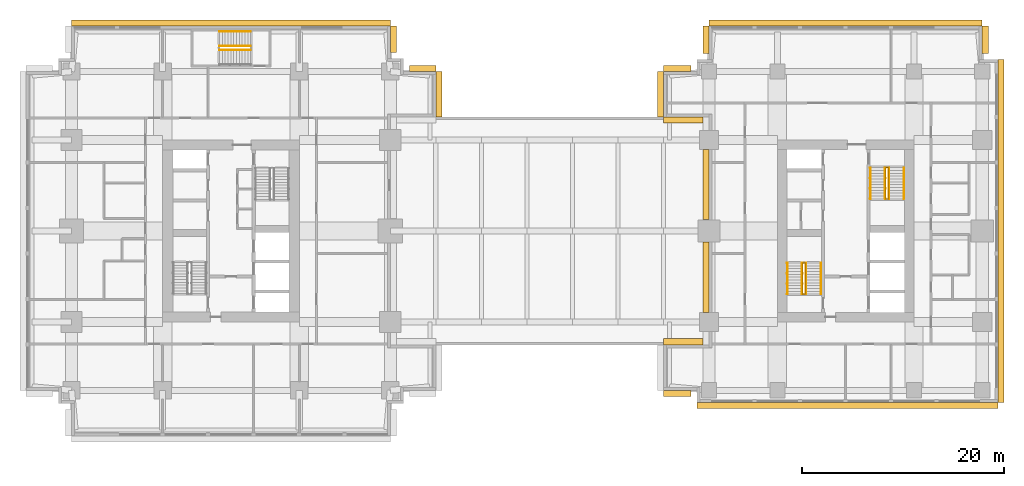
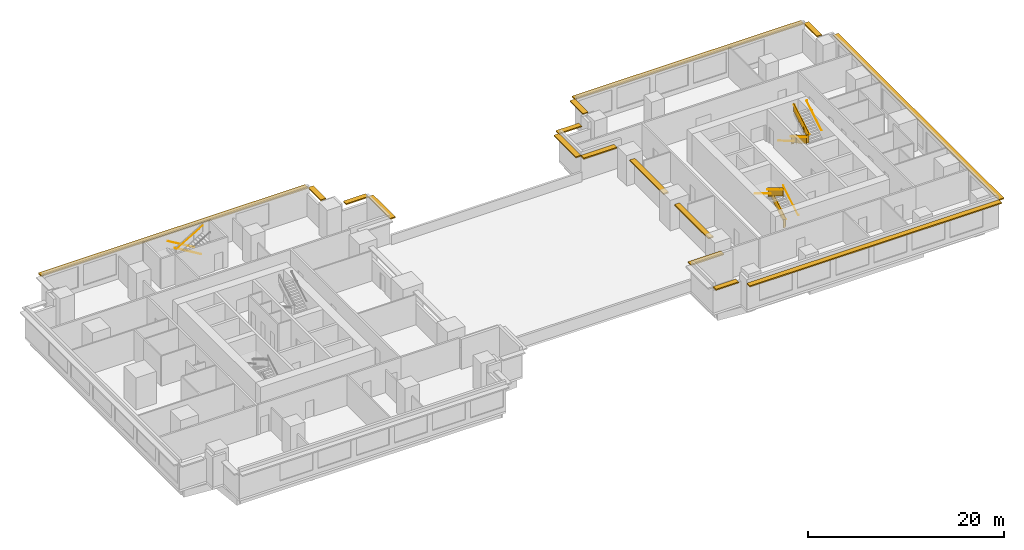
# One storey, part 10 of 10: 16 shading devices, 13 railings.
"""IFC4 building model written with IfcOpenShell, lengths in metres."""

from ifc_helpers import new_model, si_unit, direction, frame, origin, origin_2d, place, context, subcontext, project, spatial, polyline, rectangle, circle, outline, extrude, material, layer, layer_set, type_object, element, save


model = new_model("IFC4")

# Units and contexts
model_context = context("Model", 3, precision=1e-05, world=origin(), true_north=direction((0.0, 1.0)))
body_context = subcontext(model_context, "Body", "Model", "MODEL_VIEW")
ifc_project = project(units=[si_unit("LENGTHUNIT", "METRE"), si_unit("AREAUNIT", "SQUARE_METRE"), si_unit("VOLUMEUNIT", "CUBIC_METRE"), si_unit("PLANEANGLEUNIT", "RADIAN"), si_unit("MASSUNIT", "GRAM", prefix="KILO")], contexts=[model_context])

# Site, building, storey
site_placement = place(None, origin())
site = spatial("IfcSite", under=ifc_project, at=site_placement, CompositionType="ELEMENT")
building_placement = place(site_placement, origin())
building = spatial("IfcBuilding", under=site, at=building_placement, Name="Namib Vertical Campus", CompositionType="ELEMENT")
storey_placement = place(building_placement, frame((0.0, 0.0, 137.0)))
storey = spatial("IfcBuildingStorey", under=building, at=storey_placement, Name="L32", CompositionType="ELEMENT", Elevation=137.0)

# Railings
ifc_material_1 = material(Name="Steel handrail", Category="steel")
railing_type_1 = type_object("IfcRailingType", Name="Handrail 900", PredefinedType="HANDRAIL", material=ifc_material_1)
railing_1_placement = place(storey_placement, frame((78.550048828125, 14.0, 0.166748046875)))
element("IfcRailing", 1, at=railing_1_placement, inside=storey, type_object=railing_type_1, Name="Handrail HR1 B-S1 L32 1", PredefinedType="HANDRAIL", context=body_context, shape_type="SweptSolid", body=[
    extrude(circle(Radius=0.02392578125, at=origin_2d()), frame((0.0, 0.0, 0.8759765625), z_axis=(0.0, 0.859308565015, 0.511457515432), x_axis=(-1.0, 0.0, 0.0)), (0.0, 0.0, 1.0), 3.58447265625),
    extrude(circle(Radius=0.008056640625, at=origin_2d()), frame((0.0, 0.0, 0.8759765625), z_axis=(1.0, 0.0, 0.0), x_axis=(0.0, 0.0, 1.0)), (0.0, 0.0, 1.0), 0.050048828125),
    extrude(circle(Radius=0.008056640625, at=origin_2d()), frame((0.0, 1.026611328125, 1.48681640625), z_axis=(1.0, 0.0, 0.0), x_axis=(0.0, 0.0, 1.0)), (0.0, 0.0, 1.0), 0.050048828125),
    extrude(circle(Radius=0.008056640625, at=origin_2d()), frame((0.0, 2.053466796875, 2.09814453125), z_axis=(1.0, 0.0, 0.0), x_axis=(0.0, 0.0, 1.0)), (0.0, 0.0, 1.0), 0.050048828125),
    extrude(circle(Radius=0.008056640625, at=origin_2d()), frame((0.0, 3.080078125, 2.708984375), z_axis=(1.0, 0.0, 0.0), x_axis=(0.0, 0.0, 1.0)), (0.0, 0.0, 1.0), 0.050048828125),
])
railing_2_placement = place(storey_placement, frame((75.25, 17.080078125, 2.166748046875)))
element("IfcRailing", 2, at=railing_2_placement, inside=storey, type_object=railing_type_1, Name="Handrail HR1 B-S1 L32 2", PredefinedType="HANDRAIL", context=body_context, shape_type="SweptSolid", body=[
    extrude(circle(Radius=0.02392578125, at=origin_2d()), frame((0.0, 0.0, 0.8759765625), z_axis=(0.0, -0.859308565015, 0.511457515432), x_axis=(1.0, 0.0, 0.0)), (0.0, 0.0, 1.0), 3.58447265625),
    extrude(circle(Radius=0.008056640625, at=origin_2d()), frame((0.0, 0.0, 0.8759765625), z_axis=(-1.0, 0.0, 0.0), x_axis=(0.0, 0.0, 1.0)), (0.0, 0.0, 1.0), 0.050048828125),
    extrude(circle(Radius=0.008056640625, at=origin_2d()), frame((0.0, -1.026611328125, 1.48681640625), z_axis=(-1.0, 0.0, 0.0), x_axis=(0.0, 0.0, 1.0)), (0.0, 0.0, 1.0), 0.050048828125),
    extrude(circle(Radius=0.008056640625, at=origin_2d()), frame((0.0, -2.053466796875, 2.09814453125), z_axis=(-1.0, 0.0, 0.0), x_axis=(0.0, 0.0, 1.0)), (0.0, 0.0, 1.0), 0.050048828125),
    extrude(circle(Radius=0.008056640625, at=origin_2d()), frame((0.0, -3.080078125, 2.708984375), z_axis=(-1.0, 0.0, 0.0), x_axis=(0.0, 0.0, 1.0)), (0.0, 0.0, 1.0), 0.050048828125),
])
railing_3_placement = place(storey_placement, frame((77.10009765625, 14.0, 0.166748046875)))
element("IfcRailing", 3, at=railing_3_placement, inside=storey, type_object=railing_type_1, Name="Handrail HR1 B-S1 L32 1 at the well", PredefinedType="HANDRAIL", context=body_context, shape_type="SweptSolid", body=[
    extrude(circle(Radius=0.02392578125, at=origin_2d()), frame((0.0, 0.0, 0.8759765625), z_axis=(0.0, 0.859308565015, 0.511457515432), x_axis=(-1.0, 0.0, 0.0)), (0.0, 0.0, 1.0), 3.58447265625),
    extrude(circle(Radius=0.008056640625, at=origin_2d()), frame((0.0, 0.0, 0.8759765625), z_axis=(-1.0, 0.0, 0.0), x_axis=(0.0, 0.0, 1.0)), (0.0, 0.0, 1.0), 0.0400390625),
    extrude(circle(Radius=0.008056640625, at=origin_2d()), frame((0.0, 1.026611328125, 1.48681640625), z_axis=(-1.0, 0.0, 0.0), x_axis=(0.0, 0.0, 1.0)), (0.0, 0.0, 1.0), 0.0400390625),
    extrude(circle(Radius=0.008056640625, at=origin_2d()), frame((0.0, 2.053466796875, 2.09814453125), z_axis=(-1.0, 0.0, 0.0), x_axis=(0.0, 0.0, 1.0)), (0.0, 0.0, 1.0), 0.0400390625),
    extrude(circle(Radius=0.008056640625, at=origin_2d()), frame((0.0, 3.080078125, 2.708984375), z_axis=(-1.0, 0.0, 0.0), x_axis=(0.0, 0.0, 1.0)), (0.0, 0.0, 1.0), 0.0400390625),
])
railing_4_placement = place(storey_placement, frame((76.699951171875, 17.080078125, 2.166748046875)))
element("IfcRailing", 4, at=railing_4_placement, inside=storey, type_object=railing_type_1, Name="Handrail HR1 B-S1 L32 2 at the well", PredefinedType="HANDRAIL", context=body_context, shape_type="SweptSolid", body=[
    extrude(circle(Radius=0.02392578125, at=origin_2d()), frame((0.0, 0.0, 0.8759765625), z_axis=(0.0, -0.859308565015, 0.511457515432), x_axis=(1.0, 0.0, 0.0)), (0.0, 0.0, 1.0), 3.58447265625),
    extrude(circle(Radius=0.008056640625, at=origin_2d()), frame((0.0, 0.0, 0.8759765625), z_axis=(1.0, 0.0, 0.0), x_axis=(0.0, 0.0, 1.0)), (0.0, 0.0, 1.0), 0.0400390625),
    extrude(circle(Radius=0.008056640625, at=origin_2d()), frame((0.0, -1.026611328125, 1.48681640625), z_axis=(1.0, 0.0, 0.0), x_axis=(0.0, 0.0, 1.0)), (0.0, 0.0, 1.0), 0.0400390625),
    extrude(circle(Radius=0.008056640625, at=origin_2d()), frame((0.0, -2.053466796875, 2.09814453125), z_axis=(1.0, 0.0, 0.0), x_axis=(0.0, 0.0, 1.0)), (0.0, 0.0, 1.0), 0.0400390625),
    extrude(circle(Radius=0.008056640625, at=origin_2d()), frame((0.0, -3.080078125, 2.708984375), z_axis=(1.0, 0.0, 0.0), x_axis=(0.0, 0.0, 1.0)), (0.0, 0.0, 1.0), 0.0400390625),
])
railing_5_placement = place(storey_placement, frame((83.449951171875, 26.5, 0.166748046875)))
element("IfcRailing", 5, at=railing_5_placement, inside=storey, type_object=railing_type_1, Name="Handrail HR1 B-S2 L32 1", PredefinedType="HANDRAIL", context=body_context, shape_type="SweptSolid", body=[
    extrude(circle(Radius=0.02392578125, at=origin_2d()), frame((0.0, 0.0, 0.8759765625), z_axis=(0.0, -0.859308565015, 0.511457515432), x_axis=(1.0, 0.0, 0.0)), (0.0, 0.0, 1.0), 3.58447265625),
    extrude(circle(Radius=0.008056640625, at=origin_2d()), frame((0.0, 0.0, 0.8759765625), z_axis=(-1.0, 0.0, 0.0), x_axis=(0.0, 0.0, 1.0)), (0.0, 0.0, 1.0), 0.050048828125),
    extrude(circle(Radius=0.008056640625, at=origin_2d()), frame((0.0, -1.026611328125, 1.48681640625), z_axis=(-1.0, 0.0, 0.0), x_axis=(0.0, 0.0, 1.0)), (0.0, 0.0, 1.0), 0.050048828125),
    extrude(circle(Radius=0.008056640625, at=origin_2d()), frame((0.0, -2.053466796875, 2.09814453125), z_axis=(-1.0, 0.0, 0.0), x_axis=(0.0, 0.0, 1.0)), (0.0, 0.0, 1.0), 0.050048828125),
    extrude(circle(Radius=0.008056640625, at=origin_2d()), frame((0.0, -3.080078125, 2.708984375), z_axis=(-1.0, 0.0, 0.0), x_axis=(0.0, 0.0, 1.0)), (0.0, 0.0, 1.0), 0.050048828125),
])
railing_6_placement = place(storey_placement, frame((86.75, 23.419921875, 2.166748046875)))
element("IfcRailing", 6, at=railing_6_placement, inside=storey, type_object=railing_type_1, Name="Handrail HR1 B-S2 L32 2", PredefinedType="HANDRAIL", context=body_context, shape_type="SweptSolid", body=[
    extrude(circle(Radius=0.02392578125, at=origin_2d()), frame((0.0, 0.0, 0.8759765625), z_axis=(0.0, 0.859308565015, 0.511457515432), x_axis=(-1.0, 0.0, 0.0)), (0.0, 0.0, 1.0), 3.58447265625),
    extrude(circle(Radius=0.008056640625, at=origin_2d()), frame((0.0, 0.0, 0.8759765625), z_axis=(1.0, 0.0, 0.0), x_axis=(0.0, 0.0, 1.0)), (0.0, 0.0, 1.0), 0.050048828125),
    extrude(circle(Radius=0.008056640625, at=origin_2d()), frame((0.0, 1.026611328125, 1.48681640625), z_axis=(1.0, 0.0, 0.0), x_axis=(0.0, 0.0, 1.0)), (0.0, 0.0, 1.0), 0.050048828125),
    extrude(circle(Radius=0.008056640625, at=origin_2d()), frame((0.0, 2.053466796875, 2.09814453125), z_axis=(1.0, 0.0, 0.0), x_axis=(0.0, 0.0, 1.0)), (0.0, 0.0, 1.0), 0.050048828125),
    extrude(circle(Radius=0.008056640625, at=origin_2d()), frame((0.0, 3.080078125, 2.708984375), z_axis=(1.0, 0.0, 0.0), x_axis=(0.0, 0.0, 1.0)), (0.0, 0.0, 1.0), 0.050048828125),
])
railing_7_placement = place(storey_placement, frame((84.89990234375, 26.5, 0.166748046875)))
element("IfcRailing", 7, at=railing_7_placement, inside=storey, type_object=railing_type_1, Name="Handrail HR1 B-S2 L32 1 at the well", PredefinedType="HANDRAIL", context=body_context, shape_type="SweptSolid", body=[
    extrude(circle(Radius=0.02392578125, at=origin_2d()), frame((0.0, 0.0, 0.8759765625), z_axis=(0.0, -0.859308565015, 0.511457515432), x_axis=(1.0, 0.0, 0.0)), (0.0, 0.0, 1.0), 3.58447265625),
    extrude(circle(Radius=0.008056640625, at=origin_2d()), frame((0.0, 0.0, 0.8759765625), z_axis=(1.0, 0.0, 0.0), x_axis=(0.0, 0.0, 1.0)), (0.0, 0.0, 1.0), 0.0400390625),
    extrude(circle(Radius=0.008056640625, at=origin_2d()), frame((0.0, -1.026611328125, 1.48681640625), z_axis=(1.0, 0.0, 0.0), x_axis=(0.0, 0.0, 1.0)), (0.0, 0.0, 1.0), 0.0400390625),
    extrude(circle(Radius=0.008056640625, at=origin_2d()), frame((0.0, -2.053466796875, 2.09814453125), z_axis=(1.0, 0.0, 0.0), x_axis=(0.0, 0.0, 1.0)), (0.0, 0.0, 1.0), 0.0400390625),
    extrude(circle(Radius=0.008056640625, at=origin_2d()), frame((0.0, -3.080078125, 2.708984375), z_axis=(1.0, 0.0, 0.0), x_axis=(0.0, 0.0, 1.0)), (0.0, 0.0, 1.0), 0.0400390625),
])
railing_8_placement = place(storey_placement, frame((85.300048828125, 23.419921875, 2.166748046875)))
element("IfcRailing", 8, at=railing_8_placement, inside=storey, type_object=railing_type_1, Name="Handrail HR1 B-S2 L32 2 at the well", PredefinedType="HANDRAIL", context=body_context, shape_type="SweptSolid", body=[
    extrude(circle(Radius=0.02392578125, at=origin_2d()), frame((0.0, 0.0, 0.8759765625), z_axis=(0.0, 0.859308565015, 0.511457515432), x_axis=(-1.0, 0.0, 0.0)), (0.0, 0.0, 1.0), 3.58447265625),
    extrude(circle(Radius=0.008056640625, at=origin_2d()), frame((0.0, 0.0, 0.8759765625), z_axis=(-1.0, 0.0, 0.0), x_axis=(0.0, 0.0, 1.0)), (0.0, 0.0, 1.0), 0.0400390625),
    extrude(circle(Radius=0.008056640625, at=origin_2d()), frame((0.0, 1.026611328125, 1.48681640625), z_axis=(-1.0, 0.0, 0.0), x_axis=(0.0, 0.0, 1.0)), (0.0, 0.0, 1.0), 0.0400390625),
    extrude(circle(Radius=0.008056640625, at=origin_2d()), frame((0.0, 2.053466796875, 2.09814453125), z_axis=(-1.0, 0.0, 0.0), x_axis=(0.0, 0.0, 1.0)), (0.0, 0.0, 1.0), 0.0400390625),
    extrude(circle(Radius=0.008056640625, at=origin_2d()), frame((0.0, 3.080078125, 2.708984375), z_axis=(-1.0, 0.0, 0.0), x_axis=(0.0, 0.0, 1.0)), (0.0, 0.0, 1.0), 0.0400390625),
])
railing_9_placement = place(storey_placement, frame((22.199951171875, 39.949951171875, 0.166748046875)))
element("IfcRailing", 9, at=railing_9_placement, inside=storey, type_object=railing_type_1, Name="Handrail HR1 A-S3 L32 1", PredefinedType="HANDRAIL", context=body_context, shape_type="SweptSolid", body=[
    extrude(circle(Radius=0.02392578125, at=origin_2d()), frame((0.0, 0.0, 0.8759765625), z_axis=(-0.859290745958, 0.0, 0.51148745235), x_axis=(0.0, -1.0, 0.0)), (0.0, 0.0, 1.0), 3.584228515625),
    extrude(circle(Radius=0.008056640625, at=origin_2d()), frame((0.0, 0.0, 0.8759765625), z_axis=(0.0, 1.0, 0.0), x_axis=(0.0, 0.0, 1.0)), (0.0, 0.0, 1.0), 0.050048828125),
    extrude(circle(Radius=0.008056640625, at=origin_2d()), frame((-1.026611328125, 0.0, 1.48681640625), z_axis=(0.0, 1.0, 0.0), x_axis=(0.0, 0.0, 1.0)), (0.0, 0.0, 1.0), 0.050048828125),
    extrude(circle(Radius=0.008056640625, at=origin_2d()), frame((-2.05322265625, 0.0, 2.09814453125), z_axis=(0.0, 1.0, 0.0), x_axis=(0.0, 0.0, 1.0)), (0.0, 0.0, 1.0), 0.050048828125),
    extrude(circle(Radius=0.008056640625, at=origin_2d()), frame((-3.079833984375, 0.0, 2.708984375), z_axis=(0.0, 1.0, 0.0), x_axis=(0.0, 0.0, 1.0)), (0.0, 0.0, 1.0), 0.050048828125),
])
railing_10_placement = place(storey_placement, frame((22.199951171875, 38.52490234375, 0.166748046875)))
element("IfcRailing", 10, at=railing_10_placement, inside=storey, type_object=railing_type_1, Name="Handrail HR1 A-S3 L32 1 at the well", PredefinedType="HANDRAIL", context=body_context, shape_type="SweptSolid", body=[
    extrude(circle(Radius=0.02392578125, at=origin_2d()), frame((0.0, 0.0, 0.8759765625), z_axis=(-0.859290745958, 0.0, 0.51148745235), x_axis=(0.0, -1.0, 0.0)), (0.0, 0.0, 1.0), 3.584228515625),
    extrude(circle(Radius=0.008056640625, at=origin_2d()), frame((0.0, 0.0, 0.8759765625), z_axis=(0.0, -1.0, 0.0), x_axis=(0.0, 0.0, 1.0)), (0.0, 0.0, 1.0), 0.0400390625),
    extrude(circle(Radius=0.008056640625, at=origin_2d()), frame((-1.026611328125, 0.0, 1.48681640625), z_axis=(0.0, -1.0, 0.0), x_axis=(0.0, 0.0, 1.0)), (0.0, 0.0, 1.0), 0.0400390625),
    extrude(circle(Radius=0.008056640625, at=origin_2d()), frame((-2.05322265625, 0.0, 2.09814453125), z_axis=(0.0, -1.0, 0.0), x_axis=(0.0, 0.0, 1.0)), (0.0, 0.0, 1.0), 0.0400390625),
    extrude(circle(Radius=0.008056640625, at=origin_2d()), frame((-3.079833984375, 0.0, 2.708984375), z_axis=(0.0, -1.0, 0.0), x_axis=(0.0, 0.0, 1.0)), (0.0, 0.0, 1.0), 0.0400390625),
])
railing_11_placement = place(storey_placement, frame((19.1201171875, 38.125, 2.166748046875)))
element("IfcRailing", 11, at=railing_11_placement, inside=storey, type_object=railing_type_1, Name="Handrail HR1 A-S3 L32 2 at the well", PredefinedType="HANDRAIL", context=body_context, shape_type="SweptSolid", body=[
    extrude(circle(Radius=0.02392578125, at=origin_2d()), frame((0.0, 0.0, 0.8759765625), z_axis=(0.859290745958, 0.0, 0.51148745235), x_axis=(0.0, 1.0, 0.0)), (0.0, 0.0, 1.0), 3.584228515625),
    extrude(circle(Radius=0.008056640625, at=origin_2d()), frame((0.0, 0.0, 0.8759765625), z_axis=(0.0, 1.0, 0.0), x_axis=(0.0, 0.0, 1.0)), (0.0, 0.0, 1.0), 0.0400390625),
    extrude(circle(Radius=0.008056640625, at=origin_2d()), frame((1.026611328125, 0.0, 1.48681640625), z_axis=(0.0, 1.0, 0.0), x_axis=(0.0, 0.0, 1.0)), (0.0, 0.0, 1.0), 0.0400390625),
    extrude(circle(Radius=0.008056640625, at=origin_2d()), frame((2.05322265625, 0.0, 2.09814453125), z_axis=(0.0, 1.0, 0.0), x_axis=(0.0, 0.0, 1.0)), (0.0, 0.0, 1.0), 0.0400390625),
    extrude(circle(Radius=0.008056640625, at=origin_2d()), frame((3.079833984375, 0.0, 2.708984375), z_axis=(0.0, 1.0, 0.0), x_axis=(0.0, 0.0, 1.0)), (0.0, 0.0, 1.0), 0.0400390625),
])
ifc_material_2 = material(Name="Steel balustrade", Category="steel")
railing_type_2 = type_object("IfcRailingType", Name="Stair guard 1100", PredefinedType="GUARDRAIL", material=ifc_material_2)
railing_12_placement = place(storey_placement, frame((76.75, 14.0, 0.0)))
element("IfcRailing", 12, at=railing_12_placement, inside=storey, type_object=railing_type_2, Name="Stair guard GR1 B-S1 L32", PredefinedType="GUARDRAIL", context=body_context, shape_type="SweptSolid", body=[
    extrude(circle(Radius=0.02392578125, at=origin_2d()), frame((0.0, 0.0, 1.076171875), z_axis=(1.0, 0.0, 0.0), x_axis=(0.0, 1.0, 0.0)), (0.0, 0.0, 1.0), 0.300048828125),
    extrude(outline(polyline([(0.02099609375, 0.050048828125), (0.279052734375, 0.050048828125), (0.279052734375, 1.052001953125), (0.02099609375, 1.052001953125), (0.02099609375, 0.050048828125)])), frame((0.0, 0.010009765625, 0.0), z_axis=(0.0, -1.0, 0.0), x_axis=(1.0, 0.0, 0.0)), (0.0, 0.0, 1.0), 0.02001953125),
    extrude(circle(Radius=0.02392578125, at=origin_2d()), frame((0.300048828125, 0.0, 1.076171875), z_axis=(0.0, 0.0, 1.0), x_axis=(1.0, 0.0, 0.0)), (0.0, 0.0, 1.0), 0.166748046875),
    extrude(circle(Radius=0.02392578125, at=origin_2d()), frame((0.300048828125, 0.0, 1.24267578125), z_axis=(0.0, 0.859308565015, 0.511457515432), x_axis=(-1.0, 0.0, 0.0)), (0.0, 0.0, 1.0), 3.58447265625),
    extrude(outline(polyline([(0.02099609375, 0.0625), (3.05908203125, 1.870849609375), (3.05908203125, 2.872802734375), (0.02099609375, 1.064453125), (0.02099609375, 0.0625)])), frame((0.2900390625, 0.0, 0.166748046875), z_axis=(1.0, 0.0, 0.0), x_axis=(0.0, 1.0, 0.0)), (0.0, 0.0, 1.0), 0.02001953125),
    extrude(circle(Radius=0.02392578125, at=origin_2d()), frame((0.300048828125, 3.080078125, 3.076171875), z_axis=(-1.0, 0.0, 0.0), x_axis=(0.0, -1.0, 0.0)), (0.0, 0.0, 1.0), 0.300048828125),
    extrude(outline(polyline([(0.02099609375, 0.050048828125), (0.279052734375, 0.050048828125), (0.279052734375, 1.052001953125), (0.02099609375, 1.052001953125), (0.02099609375, 0.050048828125)])), frame((0.300048828125, 3.070068359375, 2.0), z_axis=(0.0, 1.0, 0.0), x_axis=(-1.0, 0.0, 0.0)), (0.0, 0.0, 1.0), 0.02001953125),
    extrude(circle(Radius=0.02392578125, at=origin_2d()), frame((0.0, 3.080078125, 3.076171875), z_axis=(0.0, 0.0, 1.0), x_axis=(1.0, 0.0, 0.0)), (0.0, 0.0, 1.0), 0.166748046875),
    extrude(circle(Radius=0.02392578125, at=origin_2d()), frame((0.0, 3.080078125, 3.24267578125), z_axis=(0.0, -0.859308565015, 0.511457515432), x_axis=(1.0, 0.0, 0.0)), (0.0, 0.0, 1.0), 3.58447265625),
    extrude(outline(polyline([(0.02099609375, 0.0625), (3.05908203125, 1.870849609375), (3.05908203125, 2.872802734375), (0.02099609375, 1.064453125), (0.02099609375, 0.0625)])), frame((0.010009765625, 3.080078125, 2.166748046875), z_axis=(-1.0, 0.0, 0.0), x_axis=(0.0, -1.0, 0.0)), (0.0, 0.0, 1.0), 0.02001953125),
    extrude(circle(Radius=0.02392578125, at=origin_2d()), frame((0.0, 0.0, 5.076171875), z_axis=(0.0, -1.0, 0.0), x_axis=(1.0, 0.0, 0.0)), (0.0, 0.0, 1.0), 0.050048828125),
    extrude(outline(polyline([(0.02099609375, 0.050048828125), (0.029052734375, 0.050048828125), (0.029052734375, 1.052001953125), (0.02099609375, 1.052001953125), (0.02099609375, 0.050048828125)])), frame((0.010009765625, 0.0, 4.0), z_axis=(-1.0, 0.0, 0.0), x_axis=(0.0, -1.0, 0.0)), (0.0, 0.0, 1.0), 0.02001953125),
    extrude(circle(Radius=0.02099609375, at=origin_2d()), origin(), (0.0, 0.0, 1.0), 1.052001953125),
    extrude(circle(Radius=0.02099609375, at=origin_2d()), frame((0.300048828125, 0.0, 0.166748046875)), (0.0, 0.0, 1.0), 1.052001953125),
    extrude(circle(Radius=0.02099609375, at=origin_2d()), frame((0.300048828125, 1.026611328125, 0.666748046875)), (0.0, 0.0, 1.0), 1.1630859375),
    extrude(circle(Radius=0.02099609375, at=origin_2d()), frame((0.300048828125, 2.053466796875, 1.33349609375)), (0.0, 0.0, 1.0), 1.107421875),
    extrude(circle(Radius=0.02099609375, at=origin_2d()), frame((0.300048828125, 3.080078125, 2.0)), (0.0, 0.0, 1.0), 1.052001953125),
    extrude(circle(Radius=0.02099609375, at=origin_2d()), frame((0.0, 3.080078125, 2.166748046875)), (0.0, 0.0, 1.0), 1.052001953125),
    extrude(circle(Radius=0.02099609375, at=origin_2d()), frame((0.0, 2.053466796875, 2.666748046875)), (0.0, 0.0, 1.0), 1.1630859375),
    extrude(circle(Radius=0.02099609375, at=origin_2d()), frame((0.0, 1.026611328125, 3.33349609375)), (0.0, 0.0, 1.0), 1.107421875),
    extrude(circle(Radius=0.02099609375, at=origin_2d()), frame((0.0, 0.0, 4.0)), (0.0, 0.0, 1.0), 1.052001953125),
    extrude(circle(Radius=0.02099609375, at=origin_2d()), frame((0.0, -0.050048828125, 4.0)), (0.0, 0.0, 1.0), 1.052001953125),
])
railing_13_placement = place(storey_placement, frame((85.25, 26.5, 0.0)))
element("IfcRailing", 13, at=railing_13_placement, inside=storey, type_object=railing_type_2, Name="Stair guard GR1 B-S2 L32", PredefinedType="GUARDRAIL", context=body_context, shape_type="SweptSolid", body=[
    extrude(circle(Radius=0.02392578125, at=origin_2d()), frame((0.0, 0.0, 1.076171875), z_axis=(-1.0, 0.0, 0.0), x_axis=(0.0, -1.0, 0.0)), (0.0, 0.0, 1.0), 0.300048828125),
    extrude(outline(polyline([(0.02099609375, 0.050048828125), (0.279052734375, 0.050048828125), (0.279052734375, 1.052001953125), (0.02099609375, 1.052001953125), (0.02099609375, 0.050048828125)])), frame((0.0, -0.010009765625, 0.0), z_axis=(0.0, 1.0, 0.0), x_axis=(-1.0, 0.0, 0.0)), (0.0, 0.0, 1.0), 0.02001953125),
    extrude(circle(Radius=0.02392578125, at=origin_2d()), frame((-0.300048828125, 0.0, 1.076171875), z_axis=(0.0, 0.0, 1.0), x_axis=(1.0, 0.0, 0.0)), (0.0, 0.0, 1.0), 0.166748046875),
    extrude(circle(Radius=0.02392578125, at=origin_2d()), frame((-0.300048828125, 0.0, 1.24267578125), z_axis=(0.0, -0.859308565015, 0.511457515432), x_axis=(1.0, 0.0, 0.0)), (0.0, 0.0, 1.0), 3.58447265625),
    extrude(outline(polyline([(0.02099609375, 0.0625), (3.05908203125, 1.870849609375), (3.05908203125, 2.872802734375), (0.02099609375, 1.064453125), (0.02099609375, 0.0625)])), frame((-0.2900390625, 0.0, 0.166748046875), z_axis=(-1.0, 0.0, 0.0), x_axis=(0.0, -1.0, 0.0)), (0.0, 0.0, 1.0), 0.02001953125),
    extrude(circle(Radius=0.02392578125, at=origin_2d()), frame((-0.300048828125, -3.080078125, 3.076171875), z_axis=(1.0, 0.0, 0.0), x_axis=(0.0, 1.0, 0.0)), (0.0, 0.0, 1.0), 0.300048828125),
    extrude(outline(polyline([(0.02099609375, 0.050048828125), (0.279052734375, 0.050048828125), (0.279052734375, 1.052001953125), (0.02099609375, 1.052001953125), (0.02099609375, 0.050048828125)])), frame((-0.300048828125, -3.070068359375, 2.0), z_axis=(0.0, -1.0, 0.0), x_axis=(1.0, 0.0, 0.0)), (0.0, 0.0, 1.0), 0.02001953125),
    extrude(circle(Radius=0.02392578125, at=origin_2d()), frame((0.0, -3.080078125, 3.076171875), z_axis=(0.0, 0.0, 1.0), x_axis=(1.0, 0.0, 0.0)), (0.0, 0.0, 1.0), 0.166748046875),
    extrude(circle(Radius=0.02392578125, at=origin_2d()), frame((0.0, -3.080078125, 3.24267578125), z_axis=(0.0, 0.859308565015, 0.511457515432), x_axis=(-1.0, 0.0, 0.0)), (0.0, 0.0, 1.0), 3.58447265625),
    extrude(outline(polyline([(0.02099609375, 0.0625), (3.05908203125, 1.870849609375), (3.05908203125, 2.872802734375), (0.02099609375, 1.064453125), (0.02099609375, 0.0625)])), frame((-0.010009765625, -3.080078125, 2.166748046875), z_axis=(1.0, 0.0, 0.0), x_axis=(0.0, 1.0, 0.0)), (0.0, 0.0, 1.0), 0.02001953125),
    extrude(circle(Radius=0.02392578125, at=origin_2d()), frame((0.0, 0.0, 5.076171875), z_axis=(0.0, 1.0, 0.0), x_axis=(-1.0, 0.0, 0.0)), (0.0, 0.0, 1.0), 0.050048828125),
    extrude(outline(polyline([(0.02099609375, 0.050048828125), (0.029052734375, 0.050048828125), (0.029052734375, 1.052001953125), (0.02099609375, 1.052001953125), (0.02099609375, 0.050048828125)])), frame((-0.010009765625, 0.0, 4.0), z_axis=(1.0, 0.0, 0.0), x_axis=(0.0, 1.0, 0.0)), (0.0, 0.0, 1.0), 0.02001953125),
    extrude(circle(Radius=0.02099609375, at=origin_2d()), origin(), (0.0, 0.0, 1.0), 1.052001953125),
    extrude(circle(Radius=0.02099609375, at=origin_2d()), frame((-0.300048828125, 0.0, 0.166748046875)), (0.0, 0.0, 1.0), 1.052001953125),
    extrude(circle(Radius=0.02099609375, at=origin_2d()), frame((-0.300048828125, -1.026611328125, 0.666748046875)), (0.0, 0.0, 1.0), 1.1630859375),
    extrude(circle(Radius=0.02099609375, at=origin_2d()), frame((-0.300048828125, -2.053466796875, 1.33349609375)), (0.0, 0.0, 1.0), 1.107421875),
    extrude(circle(Radius=0.02099609375, at=origin_2d()), frame((-0.300048828125, -3.080078125, 2.0)), (0.0, 0.0, 1.0), 1.052001953125),
    extrude(circle(Radius=0.02099609375, at=origin_2d()), frame((0.0, -3.080078125, 2.166748046875)), (0.0, 0.0, 1.0), 1.052001953125),
    extrude(circle(Radius=0.02099609375, at=origin_2d()), frame((0.0, -2.053466796875, 2.666748046875)), (0.0, 0.0, 1.0), 1.1630859375),
    extrude(circle(Radius=0.02099609375, at=origin_2d()), frame((0.0, -1.026611328125, 3.33349609375)), (0.0, 0.0, 1.0), 1.107421875),
    extrude(circle(Radius=0.02099609375, at=origin_2d()), frame((0.0, 0.0, 4.0)), (0.0, 0.0, 1.0), 1.052001953125),
    extrude(circle(Radius=0.02099609375, at=origin_2d()), frame((0.0, 0.050048828125, 4.0)), (0.0, 0.0, 1.0), 1.052001953125),
])

# Shading devices
ifc_material_3 = material(Name="Concrete C40/50 precast", Category="concrete")
ifc_layer = layer(ifc_material_3, 0.14990234375)
ifc_layer_set = layer_set([ifc_layer], Name="Concrete C40/50 precast")
shading_device_type = type_object("IfcShadingDeviceType", Name="Sunshade hood 600", PredefinedType="SHUTTER", material=ifc_layer_set)
shading_device_1_placement = place(storey_placement, frame((40.800048828125, 33.75, 3.199951171875), z_axis=(0.0, 0.0, 1.0), x_axis=(0.0, 1.0, 0.0)))
element("IfcShadingDevice", 14, at=shading_device_1_placement, inside=storey, type_object=shading_device_type, Name="Sunshade SH3 L32 11", PredefinedType="SHUTTER", context=body_context, shape_type="SweptSolid", body=[
    extrude(rectangle(XDim=4.5, YDim=0.60009765625, at=origin_2d()), origin(), (0.0, 0.0, 1.0), 0.14990234375),
])
for number, where, z_axis, x_axis, name in (
    (15, (39.199951171875, 36.300048828125, 3.199951171875), (0.0, 0.0, 1.0), (-1.0, 0.0, 0.0), "Sunshade SH3 L32 12"),
    (16, (36.300048828125, 39.199951171875, 3.199951171875), (0.0, 0.0, 1.0), (0.0, 1.0, 0.0), "Sunshade SH3 L32 15"),
):
    element("IfcShadingDevice", number, at=place(storey_placement, frame(where, z_axis=z_axis, x_axis=x_axis)), inside=storey, type_object=shading_device_type, Name=name, PredefinedType="SHUTTER", context=body_context, shape_type="SweptSolid", body=[
        extrude(rectangle(XDim=2.60009765625, YDim=0.60009765625, at=origin_2d()), origin(), (0.0, 0.0, 1.0), 0.14990234375),
    ])
shading_device_2_placement = place(storey_placement, frame((20.25, 40.800048828125, 3.199951171875), z_axis=(0.0, 0.0, 1.0), x_axis=(-1.0, 0.0, 0.0)))
element("IfcShadingDevice", 17, at=shading_device_2_placement, inside=storey, type_object=shading_device_type, Name="Sunshade SH3 L32 16", PredefinedType="SHUTTER", context=body_context, shape_type="SweptSolid", body=[
    extrude(rectangle(XDim=31.5, YDim=0.60009765625, at=origin_2d()), origin(), (0.0, 0.0, 1.0), 0.14990234375),
])
shading_device_3_placement = place(storey_placement, frame((64.35009765625, 4.199951171875, 3.199951171875), z_axis=(0.0, 0.0, 1.0), x_axis=(1.0, 0.0, 0.0)))
element("IfcShadingDevice", 18, at=shading_device_3_placement, inside=storey, type_object=shading_device_type, Name="Sunshade SH3 L32 2", PredefinedType="SHUTTER", context=body_context, shape_type="SweptSolid", body=[
    extrude(rectangle(XDim=2.699951171875, YDim=0.60009765625, at=origin_2d()), origin(), (0.0, 0.0, 1.0), 0.14990234375),
])
shading_device_4_placement = place(storey_placement, frame((81.175048828125, 3.0, 3.199951171875), z_axis=(0.0, 0.0, 1.0), x_axis=(1.0, 0.0, 0.0)))
element("IfcShadingDevice", 19, at=shading_device_4_placement, inside=storey, type_object=shading_device_type, Name="Sunshade SH3 L32 4", PredefinedType="SHUTTER", context=body_context, shape_type="SweptSolid", body=[
    extrude(rectangle(XDim=29.75, YDim=0.60009765625, at=origin_2d()), origin(), (0.0, 0.0, 1.0), 0.14990234375),
])
shading_device_5_placement = place(storey_placement, frame((96.35009765625, 20.25, 3.199951171875), z_axis=(0.0, 0.0, 1.0), x_axis=(0.0, 1.0, 0.0)))
element("IfcShadingDevice", 20, at=shading_device_5_placement, inside=storey, type_object=shading_device_type, Name="Sunshade SH3 L32 5", PredefinedType="SHUTTER", context=body_context, shape_type="SweptSolid", body=[
    extrude(rectangle(XDim=33.89990234375, YDim=0.60009765625, at=origin_2d()), origin(), (0.0, 0.0, 1.0), 0.14990234375),
])
shading_device_6_placement = place(storey_placement, frame((94.800048828125, 39.14990234375, 3.199951171875), z_axis=(0.0, 0.0, 1.0), x_axis=(0.0, 1.0, 0.0)))
element("IfcShadingDevice", 21, at=shading_device_6_placement, inside=storey, type_object=shading_device_type, Name="Sunshade SH3 L32 7", PredefinedType="SHUTTER", context=body_context, shape_type="SweptSolid", body=[
    extrude(rectangle(XDim=2.699951171875, YDim=0.60009765625, at=origin_2d()), origin(), (0.0, 0.0, 1.0), 0.14990234375),
])
shading_device_7_placement = place(storey_placement, frame((81.0, 40.800048828125, 3.199951171875), z_axis=(0.0, 0.0, 1.0), x_axis=(-1.0, 0.0, 0.0)))
element("IfcShadingDevice", 22, at=shading_device_7_placement, inside=storey, type_object=shading_device_type, Name="Sunshade SH3 L32 8", PredefinedType="SHUTTER", context=body_context, shape_type="SweptSolid", body=[
    extrude(rectangle(XDim=27.0, YDim=0.60009765625, at=origin_2d()), origin(), (0.0, 0.0, 1.0), 0.14990234375),
])
for number, where, z_axis, x_axis, name in (
    (23, (67.199951171875, 39.14990234375, 3.199951171875), (0.0, 0.0, 1.0), (0.0, -1.0, 0.0), "Sunshade SH3 L32 9"),
    (24, (64.35009765625, 36.300048828125, 3.199951171875), (0.0, 0.0, 1.0), (-1.0, 0.0, 0.0), "Sunshade SH3 L32 12"),
):
    element("IfcShadingDevice", number, at=place(storey_placement, frame(where, z_axis=z_axis, x_axis=x_axis)), inside=storey, type_object=shading_device_type, Name=name, PredefinedType="SHUTTER", context=body_context, shape_type="SweptSolid", body=[
        extrude(rectangle(XDim=2.699951171875, YDim=0.60009765625, at=origin_2d()), origin(), (0.0, 0.0, 1.0), 0.14990234375),
    ])
shading_device_8_placement = place(storey_placement, frame((62.699951171875, 33.75, 3.199951171875), z_axis=(0.0, 0.0, 1.0), x_axis=(0.0, -1.0, 0.0)))
element("IfcShadingDevice", 25, at=shading_device_8_placement, inside=storey, type_object=shading_device_type, Name="Sunshade SH3 L32 13", PredefinedType="SHUTTER", context=body_context, shape_type="SweptSolid", body=[
    extrude(rectangle(XDim=4.5, YDim=0.60009765625, at=origin_2d()), origin(), (0.0, 0.0, 1.0), 0.14990234375),
])
shading_device_9_placement = place(storey_placement, frame((64.949951171875, 31.199951171875, 3.199951171875), z_axis=(0.0, 0.0, 1.0), x_axis=(1.0, 0.0, 0.0)))
element("IfcShadingDevice", 26, at=shading_device_9_placement, inside=storey, type_object=shading_device_type, Name="Sunshade SH3 L32 14", PredefinedType="SHUTTER", context=body_context, shape_type="SweptSolid", body=[
    extrude(rectangle(XDim=3.89990234375, YDim=0.60009765625, at=origin_2d()), origin(), (0.0, 0.0, 1.0), 0.14990234375),
])
for number, where, z_axis, x_axis, name in (
    (27, (67.199951171875, 24.824951171875, 3.199951171875), (0.0, 0.0, 1.0), (0.0, -1.0, 0.0), "Sunshade SH3 L32 15.1"),
    (28, (67.199951171875, 15.675048828125, 3.199951171875), (0.0, 0.0, 1.0), (0.0, -1.0, 0.0), "Sunshade SH3 L32 15.2"),
):
    element("IfcShadingDevice", number, at=place(storey_placement, frame(where, z_axis=z_axis, x_axis=x_axis)), inside=storey, type_object=shading_device_type, Name=name, PredefinedType="SHUTTER", context=body_context, shape_type="SweptSolid", body=[
        extrude(rectangle(XDim=6.929931640625, YDim=0.60009765625, at=origin_2d()), origin(), (0.0, 0.0, 1.0), 0.14990234375),
    ])
shading_device_10_placement = place(storey_placement, frame((64.949951171875, 9.300048828125, 3.199951171875), z_axis=(0.0, 0.0, 1.0), x_axis=(-1.0, 0.0, 0.0)))
element("IfcShadingDevice", 29, at=shading_device_10_placement, inside=storey, type_object=shading_device_type, Name="Sunshade SH3 L32 16", PredefinedType="SHUTTER", context=body_context, shape_type="SweptSolid", body=[
    extrude(rectangle(XDim=3.89990234375, YDim=0.60009765625, at=origin_2d()), origin(), (0.0, 0.0, 1.0), 0.14990234375),
])

save(model, "model.ifc")
